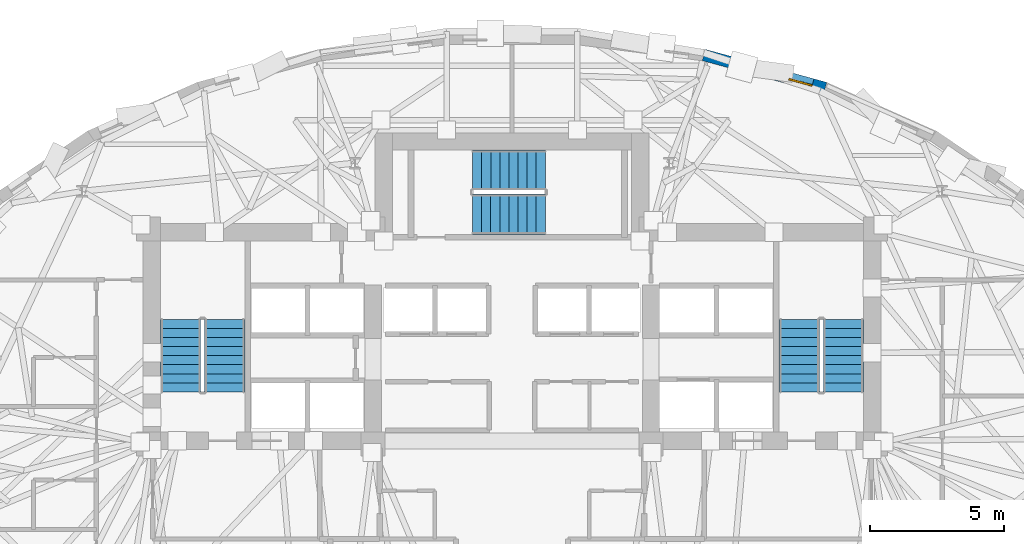
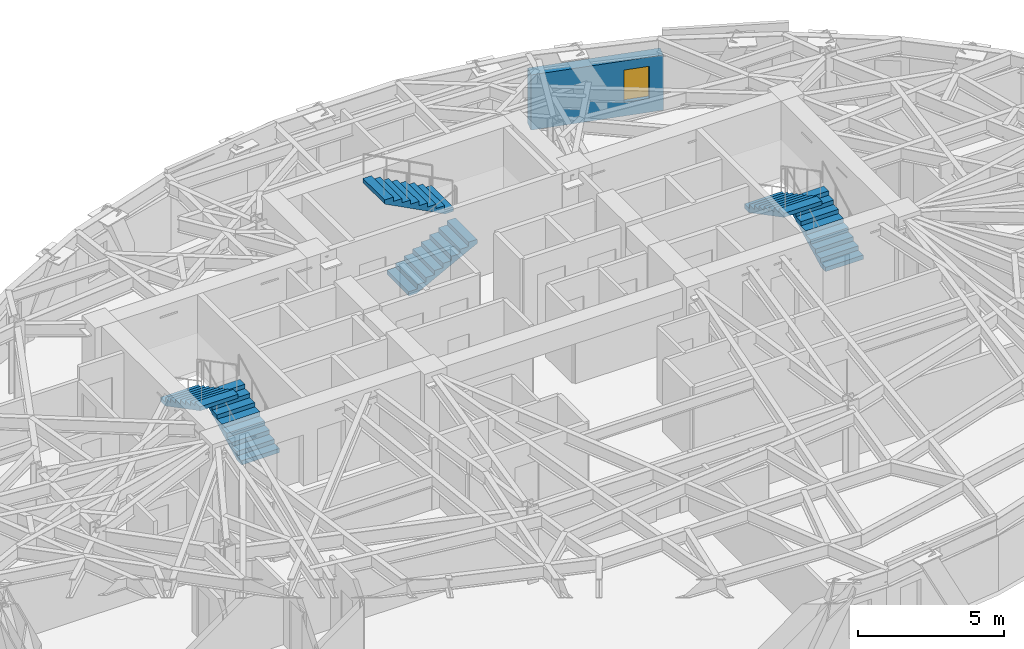
# One storey, part 10 of 14: 6 stair flights, 1 wall, 1 window, 1 opening, 3 elements without a shape of their own.
"""IFC4 building model written with IfcOpenShell, lengths in metres."""

import ifcopenshell
import ifcopenshell.guid

model = None  # the IFC model being written
_history = None  # IfcOwnerHistory: only IFC2X3 demands one
_inside = {}  # id of a spatial element -> (the spatial element, [elements in it])
_under = {}  # id of a project, library or spatial element -> (it, [spatial elements below it])
_declared = {}  # id of a project -> (the project, [libraries it declares])
_typed = {}  # id of a type object -> (the type object, [elements of that type])
_made_of = {}  # id of a material, layer set ... -> (it, [elements and type objects made of it])


def new_model(schema):
    """Start an empty IFC model of exactly this schema.

    Asked for "IFC4X3", IfcOpenShell would pick the latest addendum, in which some entities
    have other attributes; the version numbers below select the first issue.
    IFC2X3 requires an IfcOwnerHistory on every rooted entity: one is made here for all.
    """
    global model, _history
    if schema == "IFC4X3":
        model = ifcopenshell.file(schema_version=(4, 3, 0, 0))
    else:
        model = ifcopenshell.file(schema=schema)
    _inside.clear()
    _under.clear()
    _declared.clear()
    _typed.clear()
    _made_of.clear()
    _history = None
    if model.schema == "IFC2X3":
        org = make("IfcOrganization", Name="unknown")
        user = make(
            "IfcPersonAndOrganization",
            ThePerson=make("IfcPerson", FamilyName="unknown"),
            TheOrganization=org,
        )
        app = make(
            "IfcApplication",
            ApplicationDeveloper=org,
            Version="unknown",
            ApplicationFullName="unknown",
            ApplicationIdentifier="unknown",
        )
        _history = make(
            "IfcOwnerHistory",
            OwningUser=user,
            OwningApplication=app,
            ChangeAction="ADDED",
            CreationDate=0,
        )
    return model


def make(cls, **values):
    """One entity of the class cls with the attributes given. An attribute that is None is left unset."""
    return model.create_entity(
        cls, **{name: value for name, value in values.items() if value is not None}
    )


def rooted(cls, **values):
    """An entity with a GlobalId (a new one), such as an element, a storey or a relation."""
    return make(cls, GlobalId=ifcopenshell.guid.new(), OwnerHistory=_history, **values)


def si_unit(unit_type, name, prefix=None):
    """IfcSIUnit, for example si_unit("LENGTHUNIT", "METRE", prefix="MILLI")."""
    return make("IfcSIUnit", UnitType=unit_type, Prefix=prefix, Name=name)


def assignment(units):
    """IfcUnitAssignment: the units of a project."""
    return None if units is None else make("IfcUnitAssignment", Units=units)


def point(xyz):
    """IfcCartesianPoint."""
    return None if xyz is None else make("IfcCartesianPoint", Coordinates=xyz)


def direction(xyz):
    """IfcDirection."""
    return None if xyz is None else make("IfcDirection", DirectionRatios=xyz)


def frame(location, z_axis=None, x_axis=None):
    """IfcAxis2Placement3D, a coordinate frame: its origin and axes. An axis left out is left unset."""
    return make(
        "IfcAxis2Placement3D",
        Location=point(location),
        Axis=direction(z_axis),
        RefDirection=direction(x_axis),
    )


def frame_2d(location, x_axis=None):
    """IfcAxis2Placement2D, a coordinate frame in the plane: its origin and x axis."""
    return make(
        "IfcAxis2Placement2D", Location=point(location), RefDirection=direction(x_axis)
    )


def origin():
    """The frame at (0, 0, 0) with its axes left unset."""
    return frame((0.0, 0.0, 0.0))


def place(relative_to, where):
    """IfcLocalPlacement: puts the frame where relative to a parent placement (None: the world)."""
    return make(
        "IfcLocalPlacement", PlacementRelTo=relative_to, RelativePlacement=where
    )


def context(
    kind, dimensions, precision=None, world=None, true_north=None, identifier=None
):
    """IfcGeometricRepresentationContext, for example the 3D "Model" context."""
    return make(
        "IfcGeometricRepresentationContext",
        ContextIdentifier=identifier,
        ContextType=kind,
        CoordinateSpaceDimension=dimensions,
        Precision=precision,
        WorldCoordinateSystem=world,
        TrueNorth=true_north,
    )


def subcontext(parent, identifier, kind, view, scale=None):
    """IfcGeometricRepresentationSubContext, for example "Body" below "Model"."""
    return make(
        "IfcGeometricRepresentationSubContext",
        ContextIdentifier=identifier,
        ContextType=kind,
        ParentContext=parent,
        TargetScale=scale,
        TargetView=view,
    )


def project(units=None, contexts=None):
    """IfcProject with its units and contexts."""
    return rooted(
        "IfcProject",
        Name="project",
        RepresentationContexts=contexts,
        UnitsInContext=assignment(units),
    )


def spatial(cls, under=None, at=None, **own):
    """A site, building, storey or space (cls), placed at a placement, below another one or the project."""
    s = rooted(cls, ObjectPlacement=at, **own)
    if under is not None:
        _under.setdefault(under.id(), (under, []))[1].append(s)
    return s


def polyline(points):
    """IfcPolyline through the points."""
    return make("IfcPolyline", Points=[point(p) for p in points])


def profile(cls, at=None, kind="AREA", **sizes):
    """A parametric profile (cls). Its sizes go by their IFC names, for example OverallWidth=200.0."""
    return make(cls, ProfileType=kind, Position=at, **sizes)


def rectangle(**sizes):
    """IfcRectangleProfileDef."""
    return profile("IfcRectangleProfileDef", **sizes)


def outline(outer, holes=None, kind="AREA"):
    """IfcArbitraryClosedProfileDef: a profile drawn as a closed curve; with holes, ...WithVoids."""
    if holes is None:
        return make("IfcArbitraryClosedProfileDef", ProfileType=kind, OuterCurve=outer)
    return make(
        "IfcArbitraryProfileDefWithVoids",
        ProfileType=kind,
        OuterCurve=outer,
        InnerCurves=holes,
    )


def extrude(swept, where, along, depth):
    """IfcExtrudedAreaSolid: the profile swept, set in the frame where, extruded along a direction by depth."""
    return make(
        "IfcExtrudedAreaSolid",
        SweptArea=swept,
        Position=where,
        ExtrudedDirection=direction(along),
        Depth=depth,
    )


def shape(context_of_items, identifier, shape_type, items):
    """IfcShapeRepresentation: the items that make up one representation, for example the "Body"."""
    return make(
        "IfcShapeRepresentation",
        ContextOfItems=context_of_items,
        RepresentationIdentifier=identifier,
        RepresentationType=shape_type,
        Items=items,
    )


def material(Name=None, Category=None):
    """IfcMaterial."""
    return make("IfcMaterial", Name=Name, Category=Category)


def layer(
    of_material, thickness, ventilated=None, Name=None, Category=None, Priority=None
):
    """IfcMaterialLayer: one layer of a wall or slab, of a material (None: an air gap)."""
    return make(
        "IfcMaterialLayer",
        Material=of_material,
        LayerThickness=thickness,
        IsVentilated=ventilated,
        Name=Name,
        Category=Category,
        Priority=Priority,
    )


def layer_set(layers, Name=None):
    """IfcMaterialLayerSet."""
    return make("IfcMaterialLayerSet", MaterialLayers=layers, LayerSetName=Name)


def made_of(thing, what):
    """Note that an element or type object is made of a material, layer set ...; save() writes the relation."""
    if what is not None:
        _made_of.setdefault(what.id(), (what, []))[1].append(thing)
    return thing


def type_object(cls, material=None, **own):
    """A type object (cls), such as IfcWallType, which elements share."""
    return made_of(rooted(cls, **own), material)


def element(
    cls,
    number,
    at=None,
    inside=None,
    cuts=None,
    type_object=None,
    material=None,
    context=None,
    identifier="Body",
    shape_type=None,
    held_by="IfcProductDefinitionShape",
    body=None,
    shapes=None,
    **own,
):
    """One element of the class cls, such as IfcWall. Its Tag is "e" and its number.

    at: its placement. inside: the storey or other place that contains it. cuts: it is an
    opening in that element (IfcRelVoidsElement). A single representation is given by context,
    identifier, shape_type and body (its items); several are given by shapes. held_by: the class
    of the entity that holds the representations. save() writes the other relations.
    """
    e = rooted(cls, Tag="e%d" % number, ObjectPlacement=at, **own)
    if body is not None:
        shapes = [shape(context, identifier, shape_type, body)]
    if shapes is not None:
        e.Representation = make(held_by, Representations=shapes)
    if inside is not None:
        _inside.setdefault(inside.id(), (inside, []))[1].append(e)
    if cuts is not None:
        rooted(
            "IfcRelVoidsElement", RelatingBuildingElement=cuts, RelatedOpeningElement=e
        )
    if type_object is not None:
        _typed.setdefault(type_object.id(), (type_object, []))[1].append(e)
    return made_of(e, material)


def fill(opening, filler):
    """IfcRelFillsElement: the door or window that sits in an opening."""
    return rooted(
        "IfcRelFillsElement",
        RelatingOpeningElement=opening,
        RelatedBuildingElement=filler,
    )


def aggregate(whole, parts):
    """IfcRelAggregates: a whole, such as a stair, and the parts it consists of."""
    return rooted("IfcRelAggregates", RelatingObject=whole, RelatedObjects=parts)


def save(model, path):
    """Write the relations noted so far, then the file.

    IfcRelAggregates (storeys below a building ...), IfcRelContainedInSpatialStructure (elements
    in a storey), IfcRelDefinesByType, IfcRelAssociatesMaterial and IfcRelDeclares: one each for
    every whole, place, type object, material and project.
    """
    for whole, parts in _under.values():
        aggregate(whole, parts)
    for where, things in _inside.values():
        rooted(
            "IfcRelContainedInSpatialStructure",
            RelatedElements=things,
            RelatingStructure=where,
        )
    for kind, things in _typed.values():
        rooted("IfcRelDefinesByType", RelatedObjects=things, RelatingType=kind)
    for what, things in _made_of.values():
        rooted("IfcRelAssociatesMaterial", RelatedObjects=things, RelatingMaterial=what)
    for by, libraries in _declared.values():
        rooted("IfcRelDeclares", RelatingContext=by, RelatedDefinitions=libraries)
    model.write(path)


model = new_model("IFC4")

# Units and contexts
model_context = context("Model", 3, precision=1e-05, world=origin(), true_north=direction((0.0, 1.0)))
body_context = subcontext(model_context, "Body", "Model", "MODEL_VIEW")
ifc_project = project(units=[si_unit("LENGTHUNIT", "METRE"), si_unit("AREAUNIT", "SQUARE_METRE"), si_unit("VOLUMEUNIT", "CUBIC_METRE"), si_unit("PLANEANGLEUNIT", "RADIAN"), si_unit("MASSUNIT", "GRAM", prefix="KILO")], contexts=[model_context])

# Site, building, storey
site_placement = place(None, origin())
site = spatial("IfcSite", under=ifc_project, at=site_placement, CompositionType="ELEMENT")
building_placement = place(site_placement, origin())
building = spatial("IfcBuilding", under=site, at=building_placement, Name="Keldmark Tower", CompositionType="ELEMENT")
storey_placement = place(building_placement, frame((0.0, 0.0, 169.39990234375)))
storey = spatial("IfcBuildingStorey", under=building, at=storey_placement, Name="L46", CompositionType="ELEMENT", Elevation=169.39990234375)

# Wall, opening, window
ifc_material_1 = material(Name="Ironspot Manganese Brick and Kasota Buff Limestone Spandrel Assembly", Category="masonry")
ifc_layer = layer(ifc_material_1, 0.43994140625)
ifc_layer_set = layer_set([ifc_layer], Name="Ironspot Manganese Brick and Kasota Buff Limestone Spandrel Assembly")
wall_type = type_object("IfcWallType", Name="Tower Brick Pier and Spandrel Wall 440 mm", PredefinedType="STANDARD", material=ifc_layer_set)
wall_placement = place(storey_placement, frame((7.17919921875, 15.95947265625, 0.0), z_axis=(0.0, 0.0, 1.0), x_axis=(0.965037424263, -0.262112132058, 0.0)))
wall = element("IfcWall", 1, at=wall_placement, inside=storey, type_object=wall_type, Name="L46 Exterior Brick and Spandrel Wall 06", PredefinedType="STANDARD", context=body_context, shape_type="SweptSolid", body=[
    extrude(rectangle(XDim=4.70654296875, YDim=0.43994140625, at=frame_2d((2.353271484375, 0.0))), origin(), (0.0, 0.0, 1.0), 2.315185546875),
])
opening_placement = place(wall_placement, frame((3.310302734375, 0.0, 0.580078125)))
opening = element("IfcOpeningElement", 2, at=opening_placement, cuts=wall, Name="Opening W-09", PredefinedType="OPENING", context=body_context, shape_type="SweptSolid", body=[
    extrude(rectangle(XDim=0.89990234375, YDim=1.35009765625, at=frame_2d((0.449951171875, 0.675048828125))), frame((0.0, 0.22998046875, 0.0), z_axis=(0.0, -1.0, 0.0), x_axis=(1.0, 0.0, 0.0)), (0.0, 0.0, 1.0), 0.4599609375),
])
ifc_material_2 = material(Name="Thermally Broken Anodized Aluminum and Triple Low-E Argon Glazing", Category="aluminium")
window_type = type_object("IfcWindowType", Name="Corner Pier Deep-Set Window 900x1350", PartitioningType="SINGLE_PANEL", PredefinedType="WINDOW", material=ifc_material_2)
window_placement = place(opening_placement, origin())
window = element("IfcWindow", 3, at=window_placement, inside=storey, type_object=window_type, Name="L46 Deep-Set Window 06", OverallHeight=1.35009765625, OverallWidth=0.89990234375, PartitioningType="SINGLE_PANEL", PredefinedType="WINDOW", context=body_context, shape_type="SweptSolid", body=[
    extrude(rectangle(XDim=0.89990234375, YDim=1.35009765625, at=frame_2d((0.449951171875, 0.675048828125))), frame((0.0, -0.010009765625, 0.0), z_axis=(0.0, -1.0, 0.0), x_axis=(1.0, 0.0, 0.0)), (0.0, 0.0, 1.0), 0.06005859375),
])
fill(opening, window)

# Stair, stair flights
ifc_material_3 = material(Name="Concrete C40/50", Category="concrete")
stair_type = type_object("IfcStairType", Name="Precast Concrete Core Exit Stair", PredefinedType="HALF_TURN_STAIR", material=ifc_material_3)
stair_1_placement = place(storey_placement, origin())
stair_1 = element("IfcStair", 4, at=stair_1_placement, inside=storey, type_object=stair_type, Name="L46 Exit Stair ST1", PredefinedType="HALF_TURN_STAIR")
ifc_material_4 = material(Name="Concrete C40/50", Category="concrete")
stair_flight_type = type_object("IfcStairFlightType", Name="Precast Concrete Stair Flight 1500 mm", PredefinedType="STRAIGHT", material=ifc_material_4)
stair_flight_1_placement = place(storey_placement, frame((-10.75, 3.35009765625, 0.0), z_axis=(0.0, 0.0, 1.0), x_axis=(0.0, 1.0, 0.0)))
stair_flight_1 = element("IfcStairFlight", 5, at=stair_flight_1_placement, type_object=stair_flight_type, Name="ST1 flight 1", NumberOfRisers=9, NumberOfTreads=8, PredefinedType="STRAIGHT", RiserHeight=0.177777778, TreadLength=0.34, context=body_context, shape_type="SweptSolid", body=[
    extrude(outline(polyline([(0.0, 0.0), (0.0, 0.177734375), (0.340087890625, 0.177734375), (0.340087890625, 0.35546875), (0.679931640625, 0.35546875), (0.679931640625, 0.533447265625), (1.02001953125, 0.533447265625), (1.02001953125, 0.711181640625), (1.360107421875, 0.711181640625), (1.360107421875, 0.888916015625), (1.699951171875, 0.888916015625), (1.699951171875, 1.066650390625), (2.0400390625, 1.066650390625), (2.0400390625, 1.244384765625), (2.3798828125, 1.244384765625), (2.3798828125, 1.422119140625), (2.719970703125, 1.422119140625), (2.719970703125, 1.60009765625), (2.719970703125, 1.253173828125), (0.323486328125, 0.0), (0.0, 0.0)])), frame((0.0, 0.75, 0.0), z_axis=(0.0, -1.0, 0.0), x_axis=(1.0, 0.0, 0.0)), (0.0, 0.0, 1.0), 1.5),
])
stair_flight_2_placement = place(storey_placement, frame((-12.39990234375, 6.070068359375, 1.60009765625), z_axis=(0.0, 0.0, 1.0), x_axis=(0.0, -1.0, 0.0)))
stair_flight_2 = element("IfcStairFlight", 6, at=stair_flight_2_placement, type_object=stair_flight_type, Name="ST1 flight 2", NumberOfRisers=9, NumberOfTreads=8, PredefinedType="STRAIGHT", RiserHeight=0.177777778, TreadLength=0.34, context=body_context, shape_type="SweptSolid", body=[
    extrude(outline(polyline([(0.0, 0.0), (0.0, 0.177734375), (0.340087890625, 0.177734375), (0.340087890625, 0.35546875), (0.679931640625, 0.35546875), (0.679931640625, 0.533447265625), (1.02001953125, 0.533447265625), (1.02001953125, 0.711181640625), (1.360107421875, 0.711181640625), (1.360107421875, 0.888916015625), (1.699951171875, 0.888916015625), (1.699951171875, 1.066650390625), (2.0400390625, 1.066650390625), (2.0400390625, 1.244384765625), (2.3798828125, 1.244384765625), (2.3798828125, 1.422119140625), (2.719970703125, 1.422119140625), (2.719970703125, 1.60009765625), (2.719970703125, 1.253173828125), (0.323486328125, 0.0), (0.0, 0.0)])), frame((0.0, 0.75, 0.0), z_axis=(0.0, -1.0, 0.0), x_axis=(1.0, 0.0, 0.0)), (0.0, 0.0, 1.0), 1.5),
])
aggregate(stair_1, [stair_flight_1, stair_flight_2])

stair_2_placement = place(storey_placement, origin())
stair_2 = element("IfcStair", 7, at=stair_2_placement, inside=storey, type_object=stair_type, Name="L46 Exit Stair ST2", PredefinedType="HALF_TURN_STAIR")
stair_flight_3_placement = place(storey_placement, frame((12.39990234375, 3.35009765625, 0.0), z_axis=(0.0, 0.0, 1.0), x_axis=(0.0, 1.0, 0.0)))
stair_flight_3 = element("IfcStairFlight", 8, at=stair_flight_3_placement, type_object=stair_flight_type, Name="ST2 flight 1", NumberOfRisers=9, NumberOfTreads=8, PredefinedType="STRAIGHT", RiserHeight=0.177777778, TreadLength=0.34, context=body_context, shape_type="SweptSolid", body=[
    extrude(outline(polyline([(0.0, 0.0), (0.0, 0.177734375), (0.340087890625, 0.177734375), (0.340087890625, 0.35546875), (0.679931640625, 0.35546875), (0.679931640625, 0.533447265625), (1.02001953125, 0.533447265625), (1.02001953125, 0.711181640625), (1.360107421875, 0.711181640625), (1.360107421875, 0.888916015625), (1.699951171875, 0.888916015625), (1.699951171875, 1.066650390625), (2.0400390625, 1.066650390625), (2.0400390625, 1.244384765625), (2.3798828125, 1.244384765625), (2.3798828125, 1.422119140625), (2.719970703125, 1.422119140625), (2.719970703125, 1.60009765625), (2.719970703125, 1.253173828125), (0.323486328125, 0.0), (0.0, 0.0)])), frame((0.0, 0.75, 0.0), z_axis=(0.0, -1.0, 0.0), x_axis=(1.0, 0.0, 0.0)), (0.0, 0.0, 1.0), 1.5),
])
stair_flight_4_placement = place(storey_placement, frame((10.75, 6.070068359375, 1.60009765625), z_axis=(0.0, 0.0, 1.0), x_axis=(0.0, -1.0, 0.0)))
stair_flight_4 = element("IfcStairFlight", 9, at=stair_flight_4_placement, type_object=stair_flight_type, Name="ST2 flight 2", NumberOfRisers=9, NumberOfTreads=8, PredefinedType="STRAIGHT", RiserHeight=0.177777778, TreadLength=0.34, context=body_context, shape_type="SweptSolid", body=[
    extrude(outline(polyline([(0.0, 0.0), (0.0, 0.177734375), (0.340087890625, 0.177734375), (0.340087890625, 0.35546875), (0.679931640625, 0.35546875), (0.679931640625, 0.533447265625), (1.02001953125, 0.533447265625), (1.02001953125, 0.711181640625), (1.360107421875, 0.711181640625), (1.360107421875, 0.888916015625), (1.699951171875, 0.888916015625), (1.699951171875, 1.066650390625), (2.0400390625, 1.066650390625), (2.0400390625, 1.244384765625), (2.3798828125, 1.244384765625), (2.3798828125, 1.422119140625), (2.719970703125, 1.422119140625), (2.719970703125, 1.60009765625), (2.719970703125, 1.253173828125), (0.323486328125, 0.0), (0.0, 0.0)])), frame((0.0, 0.75, 0.0), z_axis=(0.0, -1.0, 0.0), x_axis=(1.0, 0.0, 0.0)), (0.0, 0.0, 1.0), 1.5),
])
aggregate(stair_2, [stair_flight_3, stair_flight_4])

stair_3_placement = place(storey_placement, origin())
stair_3 = element("IfcStair", 10, at=stair_3_placement, inside=storey, type_object=stair_type, Name="L46 Exit Stair ST3", PredefinedType="HALF_TURN_STAIR")
stair_flight_5_placement = place(storey_placement, frame((-1.47509765625, 10.0, 0.0), z_axis=(0.0, 0.0, 1.0), x_axis=(1.0, 0.0, 0.0)))
stair_flight_5 = element("IfcStairFlight", 11, at=stair_flight_5_placement, type_object=stair_flight_type, Name="ST3 flight 1", NumberOfRisers=9, NumberOfTreads=8, PredefinedType="STRAIGHT", RiserHeight=0.177777778, TreadLength=0.34, context=body_context, shape_type="SweptSolid", body=[
    extrude(outline(polyline([(0.0, 0.0), (0.0, 0.177734375), (0.340087890625, 0.177734375), (0.340087890625, 0.35546875), (0.679931640625, 0.35546875), (0.679931640625, 0.533447265625), (1.02001953125, 0.533447265625), (1.02001953125, 0.711181640625), (1.360107421875, 0.711181640625), (1.360107421875, 0.888916015625), (1.699951171875, 0.888916015625), (1.699951171875, 1.066650390625), (2.0400390625, 1.066650390625), (2.0400390625, 1.244384765625), (2.3798828125, 1.244384765625), (2.3798828125, 1.422119140625), (2.719970703125, 1.422119140625), (2.719970703125, 1.60009765625), (2.719970703125, 1.253173828125), (0.323486328125, 0.0), (0.0, 0.0)])), frame((0.0, 0.75, 0.0), z_axis=(0.0, -1.0, 0.0), x_axis=(1.0, 0.0, 0.0)), (0.0, 0.0, 1.0), 1.5),
])
stair_flight_6_placement = place(storey_placement, frame((1.2451171875, 11.64990234375, 1.60009765625), z_axis=(0.0, 0.0, 1.0), x_axis=(-1.0, 0.0, 0.0)))
stair_flight_6 = element("IfcStairFlight", 12, at=stair_flight_6_placement, type_object=stair_flight_type, Name="ST3 flight 2", NumberOfRisers=9, NumberOfTreads=8, PredefinedType="STRAIGHT", RiserHeight=0.177777778, TreadLength=0.34, context=body_context, shape_type="SweptSolid", body=[
    extrude(outline(polyline([(0.0, 0.0), (0.0, 0.177734375), (0.340087890625, 0.177734375), (0.340087890625, 0.35546875), (0.679931640625, 0.35546875), (0.679931640625, 0.533447265625), (1.02001953125, 0.533447265625), (1.02001953125, 0.711181640625), (1.360107421875, 0.711181640625), (1.360107421875, 0.888916015625), (1.699951171875, 0.888916015625), (1.699951171875, 1.066650390625), (2.0400390625, 1.066650390625), (2.0400390625, 1.244384765625), (2.3798828125, 1.244384765625), (2.3798828125, 1.422119140625), (2.719970703125, 1.422119140625), (2.719970703125, 1.60009765625), (2.719970703125, 1.253173828125), (0.323486328125, 0.0), (0.0, 0.0)])), frame((0.0, 0.75, 0.0), z_axis=(0.0, -1.0, 0.0), x_axis=(1.0, 0.0, 0.0)), (0.0, 0.0, 1.0), 1.5),
])
aggregate(stair_3, [stair_flight_5, stair_flight_6])

save(model, "model.ifc")
